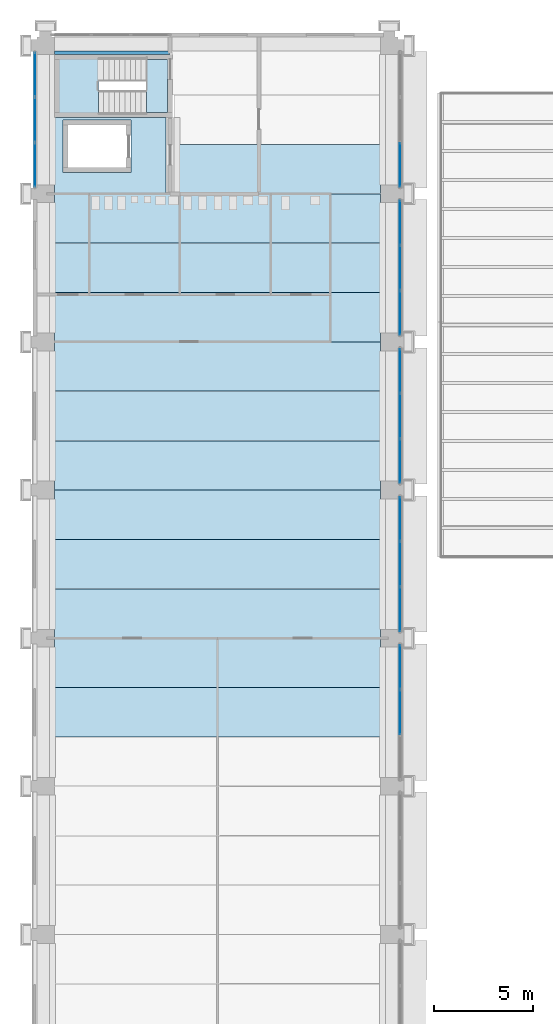
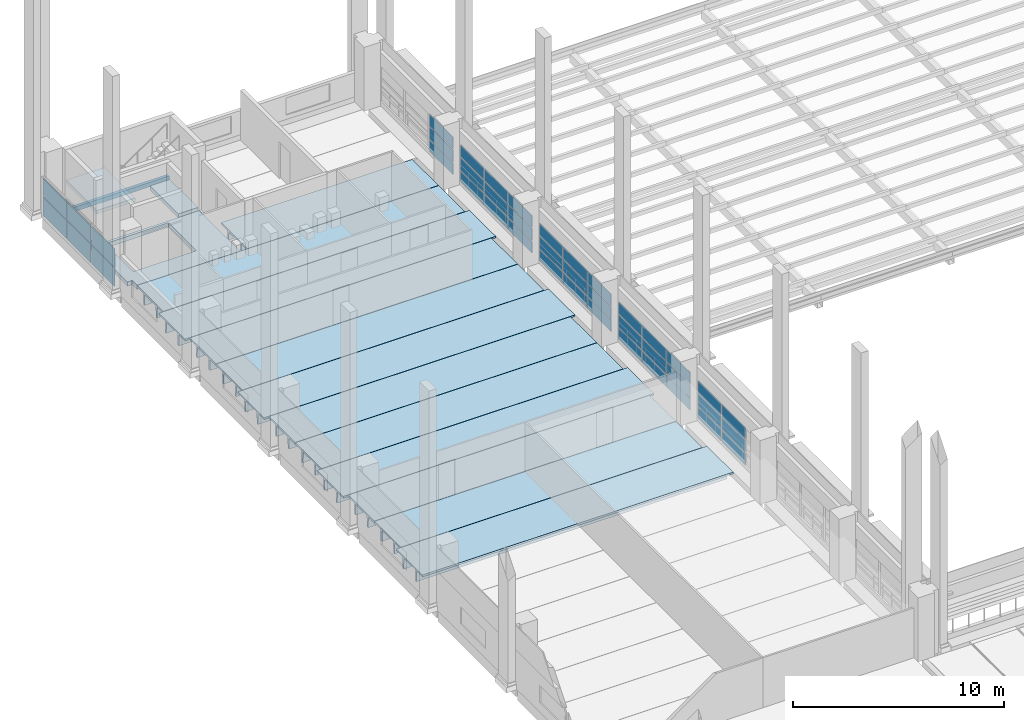
# One storey, part 30 of 67: 42 plates, 16 slabs, 7 elements without a shape of their own.
"""IFC4 building model written with IfcOpenShell, lengths in metres."""

import ifcopenshell
import ifcopenshell.guid

model = None  # the IFC model being written
_history = None  # IfcOwnerHistory: only IFC2X3 demands one
_inside = {}  # id of a spatial element -> (the spatial element, [elements in it])
_under = {}  # id of a project, library or spatial element -> (it, [spatial elements below it])
_declared = {}  # id of a project -> (the project, [libraries it declares])
_typed = {}  # id of a type object -> (the type object, [elements of that type])
_made_of = {}  # id of a material, layer set ... -> (it, [elements and type objects made of it])


def new_model(schema):
    """Start an empty IFC model of exactly this schema.

    Asked for "IFC4X3", IfcOpenShell would pick the latest addendum, in which some entities
    have other attributes; the version numbers below select the first issue.
    IFC2X3 requires an IfcOwnerHistory on every rooted entity: one is made here for all.
    """
    global model, _history
    if schema == "IFC4X3":
        model = ifcopenshell.file(schema_version=(4, 3, 0, 0))
    else:
        model = ifcopenshell.file(schema=schema)
    _inside.clear()
    _under.clear()
    _declared.clear()
    _typed.clear()
    _made_of.clear()
    _history = None
    if model.schema == "IFC2X3":
        org = make("IfcOrganization", Name="unknown")
        user = make(
            "IfcPersonAndOrganization",
            ThePerson=make("IfcPerson", FamilyName="unknown"),
            TheOrganization=org,
        )
        app = make(
            "IfcApplication",
            ApplicationDeveloper=org,
            Version="unknown",
            ApplicationFullName="unknown",
            ApplicationIdentifier="unknown",
        )
        _history = make(
            "IfcOwnerHistory",
            OwningUser=user,
            OwningApplication=app,
            ChangeAction="ADDED",
            CreationDate=0,
        )
    return model


def make(cls, **values):
    """One entity of the class cls with the attributes given. An attribute that is None is left unset."""
    return model.create_entity(
        cls, **{name: value for name, value in values.items() if value is not None}
    )


def rooted(cls, **values):
    """An entity with a GlobalId (a new one), such as an element, a storey or a relation."""
    return make(cls, GlobalId=ifcopenshell.guid.new(), OwnerHistory=_history, **values)


def si_unit(unit_type, name, prefix=None):
    """IfcSIUnit, for example si_unit("LENGTHUNIT", "METRE", prefix="MILLI")."""
    return make("IfcSIUnit", UnitType=unit_type, Prefix=prefix, Name=name)


def assignment(units):
    """IfcUnitAssignment: the units of a project."""
    return None if units is None else make("IfcUnitAssignment", Units=units)


def point(xyz):
    """IfcCartesianPoint."""
    return None if xyz is None else make("IfcCartesianPoint", Coordinates=xyz)


def direction(xyz):
    """IfcDirection."""
    return None if xyz is None else make("IfcDirection", DirectionRatios=xyz)


def frame(location, z_axis=None, x_axis=None):
    """IfcAxis2Placement3D, a coordinate frame: its origin and axes. An axis left out is left unset."""
    return make(
        "IfcAxis2Placement3D",
        Location=point(location),
        Axis=direction(z_axis),
        RefDirection=direction(x_axis),
    )


def frame_2d(location, x_axis=None):
    """IfcAxis2Placement2D, a coordinate frame in the plane: its origin and x axis."""
    return make(
        "IfcAxis2Placement2D", Location=point(location), RefDirection=direction(x_axis)
    )


def origin():
    """The frame at (0, 0, 0) with its axes left unset."""
    return frame((0.0, 0.0, 0.0))


def origin_2d():
    """The frame at (0, 0) in the plane with its x axis left unset."""
    return frame_2d((0.0, 0.0))


def place(relative_to, where):
    """IfcLocalPlacement: puts the frame where relative to a parent placement (None: the world)."""
    return make(
        "IfcLocalPlacement", PlacementRelTo=relative_to, RelativePlacement=where
    )


def context(
    kind, dimensions, precision=None, world=None, true_north=None, identifier=None
):
    """IfcGeometricRepresentationContext, for example the 3D "Model" context."""
    return make(
        "IfcGeometricRepresentationContext",
        ContextIdentifier=identifier,
        ContextType=kind,
        CoordinateSpaceDimension=dimensions,
        Precision=precision,
        WorldCoordinateSystem=world,
        TrueNorth=true_north,
    )


def subcontext(parent, identifier, kind, view, scale=None):
    """IfcGeometricRepresentationSubContext, for example "Body" below "Model"."""
    return make(
        "IfcGeometricRepresentationSubContext",
        ContextIdentifier=identifier,
        ContextType=kind,
        ParentContext=parent,
        TargetScale=scale,
        TargetView=view,
    )


def project(units=None, contexts=None):
    """IfcProject with its units and contexts."""
    return rooted(
        "IfcProject",
        Name="project",
        RepresentationContexts=contexts,
        UnitsInContext=assignment(units),
    )


def spatial(cls, under=None, at=None, **own):
    """A site, building, storey or space (cls), placed at a placement, below another one or the project."""
    s = rooted(cls, ObjectPlacement=at, **own)
    if under is not None:
        _under.setdefault(under.id(), (under, []))[1].append(s)
    return s


def polyline(points):
    """IfcPolyline through the points."""
    return make("IfcPolyline", Points=[point(p) for p in points])


def profile(cls, at=None, kind="AREA", **sizes):
    """A parametric profile (cls). Its sizes go by their IFC names, for example OverallWidth=200.0."""
    return make(cls, ProfileType=kind, Position=at, **sizes)


def rectangle(**sizes):
    """IfcRectangleProfileDef."""
    return profile("IfcRectangleProfileDef", **sizes)


def outline(outer, holes=None, kind="AREA"):
    """IfcArbitraryClosedProfileDef: a profile drawn as a closed curve; with holes, ...WithVoids."""
    if holes is None:
        return make("IfcArbitraryClosedProfileDef", ProfileType=kind, OuterCurve=outer)
    return make(
        "IfcArbitraryProfileDefWithVoids",
        ProfileType=kind,
        OuterCurve=outer,
        InnerCurves=holes,
    )


def extrude(swept, where, along, depth):
    """IfcExtrudedAreaSolid: the profile swept, set in the frame where, extruded along a direction by depth."""
    return make(
        "IfcExtrudedAreaSolid",
        SweptArea=swept,
        Position=where,
        ExtrudedDirection=direction(along),
        Depth=depth,
    )


def shape(context_of_items, identifier, shape_type, items):
    """IfcShapeRepresentation: the items that make up one representation, for example the "Body"."""
    return make(
        "IfcShapeRepresentation",
        ContextOfItems=context_of_items,
        RepresentationIdentifier=identifier,
        RepresentationType=shape_type,
        Items=items,
    )


def material(Name=None, Category=None):
    """IfcMaterial."""
    return make("IfcMaterial", Name=Name, Category=Category)


def layer(
    of_material, thickness, ventilated=None, Name=None, Category=None, Priority=None
):
    """IfcMaterialLayer: one layer of a wall or slab, of a material (None: an air gap)."""
    return make(
        "IfcMaterialLayer",
        Material=of_material,
        LayerThickness=thickness,
        IsVentilated=ventilated,
        Name=Name,
        Category=Category,
        Priority=Priority,
    )


def layer_set(layers, Name=None):
    """IfcMaterialLayerSet."""
    return make("IfcMaterialLayerSet", MaterialLayers=layers, LayerSetName=Name)


def material_profile(
    of_material, cross_section, Name=None, Category=None, Priority=None
):
    """IfcMaterialProfile: a cross section and its material."""
    return make(
        "IfcMaterialProfile",
        Name=Name,
        Material=of_material,
        Profile=cross_section,
        Priority=Priority,
        Category=Category,
    )


def profile_set(profiles, Name=None, composite=None):
    """IfcMaterialProfileSet."""
    return make(
        "IfcMaterialProfileSet",
        Name=Name,
        MaterialProfiles=profiles,
        CompositeProfile=composite,
    )


def made_of(thing, what):
    """Note that an element or type object is made of a material, layer set ...; save() writes the relation."""
    if what is not None:
        _made_of.setdefault(what.id(), (what, []))[1].append(thing)
    return thing


def type_object(cls, material=None, **own):
    """A type object (cls), such as IfcWallType, which elements share."""
    return made_of(rooted(cls, **own), material)


def element(
    cls,
    number,
    at=None,
    inside=None,
    cuts=None,
    type_object=None,
    material=None,
    context=None,
    identifier="Body",
    shape_type=None,
    held_by="IfcProductDefinitionShape",
    body=None,
    shapes=None,
    **own,
):
    """One element of the class cls, such as IfcWall. Its Tag is "e" and its number.

    at: its placement. inside: the storey or other place that contains it. cuts: it is an
    opening in that element (IfcRelVoidsElement). A single representation is given by context,
    identifier, shape_type and body (its items); several are given by shapes. held_by: the class
    of the entity that holds the representations. save() writes the other relations.
    """
    e = rooted(cls, Tag="e%d" % number, ObjectPlacement=at, **own)
    if body is not None:
        shapes = [shape(context, identifier, shape_type, body)]
    if shapes is not None:
        e.Representation = make(held_by, Representations=shapes)
    if inside is not None:
        _inside.setdefault(inside.id(), (inside, []))[1].append(e)
    if cuts is not None:
        rooted(
            "IfcRelVoidsElement", RelatingBuildingElement=cuts, RelatedOpeningElement=e
        )
    if type_object is not None:
        _typed.setdefault(type_object.id(), (type_object, []))[1].append(e)
    return made_of(e, material)


def aggregate(whole, parts):
    """IfcRelAggregates: a whole, such as a stair, and the parts it consists of."""
    return rooted("IfcRelAggregates", RelatingObject=whole, RelatedObjects=parts)


def save(model, path):
    """Write the relations noted so far, then the file.

    IfcRelAggregates (storeys below a building ...), IfcRelContainedInSpatialStructure (elements
    in a storey), IfcRelDefinesByType, IfcRelAssociatesMaterial and IfcRelDeclares: one each for
    every whole, place, type object, material and project.
    """
    for whole, parts in _under.values():
        aggregate(whole, parts)
    for where, things in _inside.values():
        rooted(
            "IfcRelContainedInSpatialStructure",
            RelatedElements=things,
            RelatingStructure=where,
        )
    for kind, things in _typed.values():
        rooted("IfcRelDefinesByType", RelatedObjects=things, RelatingType=kind)
    for what, things in _made_of.values():
        rooted("IfcRelAssociatesMaterial", RelatedObjects=things, RelatingMaterial=what)
    for by, libraries in _declared.values():
        rooted("IfcRelDeclares", RelatingContext=by, RelatedDefinitions=libraries)
    model.write(path)


model = new_model("IFC4")

# Units and contexts
model_context = context("Model", 3, precision=1e-05, world=origin(), true_north=direction((0.0, 1.0)))
body_context = subcontext(model_context, "Body", "Model", "MODEL_VIEW")
ifc_project = project(units=[si_unit("LENGTHUNIT", "METRE"), si_unit("AREAUNIT", "SQUARE_METRE"), si_unit("VOLUMEUNIT", "CUBIC_METRE"), si_unit("PLANEANGLEUNIT", "RADIAN"), si_unit("MASSUNIT", "GRAM", prefix="KILO")], contexts=[model_context])

# Site, building, storey
site_placement = place(None, origin())
site = spatial("IfcSite", under=ifc_project, at=site_placement, CompositionType="ELEMENT")
building_placement = place(site_placement, origin())
building = spatial("IfcBuilding", under=site, at=building_placement, Name="Cour d'Honneur Mobility Palace", CompositionType="ELEMENT")
storey_placement = place(building_placement, frame((0.0, 0.0, 4.5)))
storey = spatial("IfcBuildingStorey", under=building, at=storey_placement, Name="L01", CompositionType="ELEMENT", Elevation=4.5)

# Slabs
ifc_material_1 = material(Name="Concrete C50", Category="concrete")
ifc_layer_1 = layer(ifc_material_1, 0.25)
ifc_layer_set_1 = layer_set([ifc_layer_1], Name="Concrete C50")
slab_type_1 = type_object("IfcSlabType", Name="Cast-in-place Slab 250", PredefinedType="FLOOR", material=ifc_layer_set_1)
slab_1_placement = place(storey_placement, frame((0.0, 0.0, -0.25)))
element("IfcSlab", 1, at=slab_1_placement, inside=storey, type_object=slab_type_1, Name="Cast-in-place slab S1 L01 core", PredefinedType="FLOOR", context=body_context, shape_type="SweptSolid", body=[
    extrude(outline(polyline([(0.449951171875, 114.625), (6.300048828125, 114.625), (6.300048828125, 114.449951171875), (0.449951171875, 114.449951171875), (0.449951171875, 114.625)])), origin(), (0.0, 0.0, 1.0), 0.25),
])
slab_2_placement = place(storey_placement, frame((0.0, 0.0, -0.25)))
element("IfcSlab", 2, at=slab_2_placement, inside=storey, type_object=slab_type_1, Name="Cast-in-place slab S1 L01 core", PredefinedType="FLOOR", context=body_context, shape_type="SweptSolid", body=[
    extrude(outline(polyline([(0.199951171875, 107.85009765625), (0.199951171875, 114.449951171875), (0.449951171875, 114.449951171875), (0.449951171875, 111.27490234375), (6.10009765625, 111.27490234375), (6.10009765625, 107.39990234375), (0.449951171875, 107.39990234375), (0.449951171875, 107.85009765625), (0.199951171875, 107.85009765625)]), holes=[polyline([(0.875, 111.125), (0.875, 108.47509765625), (4.324951171875, 108.47509765625), (4.324951171875, 111.125), (0.875, 111.125)])]), origin(), (0.0, 0.0, 1.0), 0.25),
])
slab_3_placement = place(storey_placement, frame((0.0, 0.0, -0.25)))
element("IfcSlab", 3, at=slab_3_placement, inside=storey, type_object=slab_type_1, Name="Cast-in-place slab S1 L01 core", PredefinedType="FLOOR", context=body_context, shape_type="SweptSolid", body=[
    extrude(outline(polyline([(6.175048828125, 111.52490234375), (5.10009765625, 111.52490234375), (5.10009765625, 114.199951171875), (6.175048828125, 114.199951171875), (6.175048828125, 111.52490234375)])), origin(), (0.0, 0.0, 1.0), 0.25),
])

# Curtain wall, plates
ifc_material_2 = material(Name="Aluminium and glass", Category="aluminium")
ifc_layer_2 = layer(ifc_material_2, 0.10009765625)
ifc_layer_set_2 = layer_set([ifc_layer_2], Name="Aluminium and glass")
curtain_wall_type = type_object("IfcCurtainWallType", Name="Curtain wall run", PredefinedType="NOTDEFINED", material=ifc_layer_set_2)
curtain_wall_1_placement = place(storey_placement, origin())
curtain_wall_1 = element("IfcCurtainWall", 4, at=curtain_wall_1_placement, inside=storey, type_object=curtain_wall_type, Name="Curtain wall CW-18", PredefinedType="NOTDEFINED")
ifc_material_3 = material(Name="Double glazing", Category="glass")
ifc_layer_3 = layer(ifc_material_3, 0.028076171875)
ifc_layer_set_3 = layer_set([ifc_layer_3], Name="Double glazing")
plate_type = type_object("IfcPlateType", Name="Curtain wall panel", PredefinedType="CURTAIN_PANEL", material=ifc_layer_set_3)
plate_1_placement = place(storey_placement, frame((17.949951171875, 81.14990234375, 0.06005859375), z_axis=(0.0, 0.0, 1.0), x_axis=(0.0, 1.0, 0.0)))
plate_1 = element("IfcPlate", 5, at=plate_1_placement, type_object=plate_type, Name="CW-18 panel 2.1", PredefinedType="CURTAIN_PANEL", context=body_context, shape_type="SweptSolid", body=[
    extrude(rectangle(XDim=2.239990234375, YDim=0.028076171875, at=origin_2d()), origin(), (0.0, 0.0, 1.0), 0.6767578125),
])
plate_2_placement = place(storey_placement, frame((17.949951171875, 81.14990234375, 0.79638671875), z_axis=(0.0, 0.0, 1.0), x_axis=(0.0, 1.0, 0.0)))
plate_2 = element("IfcPlate", 6, at=plate_2_placement, type_object=plate_type, Name="CW-18 panel 2.2", PredefinedType="CURTAIN_PANEL", context=body_context, shape_type="SweptSolid", body=[
    extrude(rectangle(XDim=2.239990234375, YDim=0.028076171875, at=origin_2d()), origin(), (0.0, 0.0, 1.0), 0.706787109375),
])
plate_3_placement = place(storey_placement, frame((17.949951171875, 81.14990234375, 1.563232421875), z_axis=(0.0, 0.0, 1.0), x_axis=(0.0, 1.0, 0.0)))
plate_3 = element("IfcPlate", 7, at=plate_3_placement, type_object=plate_type, Name="CW-18 panel 2.3", PredefinedType="CURTAIN_PANEL", context=body_context, shape_type="SweptSolid", body=[
    extrude(rectangle(XDim=2.239990234375, YDim=0.028076171875, at=origin_2d()), origin(), (0.0, 0.0, 1.0), 0.6767578125),
])
plate_4_placement = place(storey_placement, frame((17.949951171875, 83.43505859375, 0.06005859375), z_axis=(0.0, 0.0, 1.0), x_axis=(0.0, 1.0, 0.0)))
plate_4 = element("IfcPlate", 8, at=plate_4_placement, type_object=plate_type, Name="CW-18 panel 3.1", PredefinedType="CURTAIN_PANEL", context=body_context, shape_type="SweptSolid", body=[
    extrude(rectangle(XDim=2.2099609375, YDim=0.028076171875, at=origin_2d()), origin(), (0.0, 0.0, 1.0), 0.6767578125),
])
plate_5_placement = place(storey_placement, frame((17.949951171875, 83.43505859375, 0.79638671875), z_axis=(0.0, 0.0, 1.0), x_axis=(0.0, 1.0, 0.0)))
plate_5 = element("IfcPlate", 9, at=plate_5_placement, type_object=plate_type, Name="CW-18 panel 3.2", PredefinedType="CURTAIN_PANEL", context=body_context, shape_type="SweptSolid", body=[
    extrude(rectangle(XDim=2.2099609375, YDim=0.028076171875, at=origin_2d()), origin(), (0.0, 0.0, 1.0), 0.706787109375),
])
plate_6_placement = place(storey_placement, frame((17.949951171875, 83.43505859375, 1.563232421875), z_axis=(0.0, 0.0, 1.0), x_axis=(0.0, 1.0, 0.0)))
plate_6 = element("IfcPlate", 10, at=plate_6_placement, type_object=plate_type, Name="CW-18 panel 3.3", PredefinedType="CURTAIN_PANEL", context=body_context, shape_type="SweptSolid", body=[
    extrude(rectangle(XDim=2.2099609375, YDim=0.028076171875, at=origin_2d()), origin(), (0.0, 0.0, 1.0), 0.6767578125),
])
aggregate(curtain_wall_1, [plate_1, plate_2, plate_3, plate_4, plate_5, plate_6])

curtain_wall_2_placement = place(storey_placement, origin())
curtain_wall_2 = element("IfcCurtainWall", 11, at=curtain_wall_2_placement, inside=storey, type_object=curtain_wall_type, Name="Curtain wall CW-19", PredefinedType="NOTDEFINED")
plate_7_placement = place(storey_placement, frame((17.949951171875, 86.364990234375, 0.06005859375), z_axis=(0.0, 0.0, 1.0), x_axis=(0.0, 1.0, 0.0)))
plate_7 = element("IfcPlate", 12, at=plate_7_placement, type_object=plate_type, Name="CW-19 panel 1.1", PredefinedType="CURTAIN_PANEL", context=body_context, shape_type="SweptSolid", body=[
    extrude(rectangle(XDim=2.2099609375, YDim=0.028076171875, at=origin_2d()), origin(), (0.0, 0.0, 1.0), 0.6767578125),
])
plate_8_placement = place(storey_placement, frame((17.949951171875, 86.364990234375, 0.79638671875), z_axis=(0.0, 0.0, 1.0), x_axis=(0.0, 1.0, 0.0)))
plate_8 = element("IfcPlate", 13, at=plate_8_placement, type_object=plate_type, Name="CW-19 panel 1.2", PredefinedType="CURTAIN_PANEL", context=body_context, shape_type="SweptSolid", body=[
    extrude(rectangle(XDim=2.2099609375, YDim=0.028076171875, at=origin_2d()), origin(), (0.0, 0.0, 1.0), 0.706787109375),
])
plate_9_placement = place(storey_placement, frame((17.949951171875, 86.364990234375, 1.563232421875), z_axis=(0.0, 0.0, 1.0), x_axis=(0.0, 1.0, 0.0)))
plate_9 = element("IfcPlate", 14, at=plate_9_placement, type_object=plate_type, Name="CW-19 panel 1.3", PredefinedType="CURTAIN_PANEL", context=body_context, shape_type="SweptSolid", body=[
    extrude(rectangle(XDim=2.2099609375, YDim=0.028076171875, at=origin_2d()), origin(), (0.0, 0.0, 1.0), 0.6767578125),
])
plate_10_placement = place(storey_placement, frame((17.949951171875, 88.64990234375, 0.06005859375), z_axis=(0.0, 0.0, 1.0), x_axis=(0.0, 1.0, 0.0)))
plate_10 = element("IfcPlate", 15, at=plate_10_placement, type_object=plate_type, Name="CW-19 panel 2.1", PredefinedType="CURTAIN_PANEL", context=body_context, shape_type="SweptSolid", body=[
    extrude(rectangle(XDim=2.239990234375, YDim=0.028076171875, at=origin_2d()), origin(), (0.0, 0.0, 1.0), 0.6767578125),
])
plate_11_placement = place(storey_placement, frame((17.949951171875, 88.64990234375, 0.79638671875), z_axis=(0.0, 0.0, 1.0), x_axis=(0.0, 1.0, 0.0)))
plate_11 = element("IfcPlate", 16, at=plate_11_placement, type_object=plate_type, Name="CW-19 panel 2.2", PredefinedType="CURTAIN_PANEL", context=body_context, shape_type="SweptSolid", body=[
    extrude(rectangle(XDim=2.239990234375, YDim=0.028076171875, at=origin_2d()), origin(), (0.0, 0.0, 1.0), 0.706787109375),
])
plate_12_placement = place(storey_placement, frame((17.949951171875, 88.64990234375, 1.563232421875), z_axis=(0.0, 0.0, 1.0), x_axis=(0.0, 1.0, 0.0)))
plate_12 = element("IfcPlate", 17, at=plate_12_placement, type_object=plate_type, Name="CW-19 panel 2.3", PredefinedType="CURTAIN_PANEL", context=body_context, shape_type="SweptSolid", body=[
    extrude(rectangle(XDim=2.239990234375, YDim=0.028076171875, at=origin_2d()), origin(), (0.0, 0.0, 1.0), 0.6767578125),
])
plate_13_placement = place(storey_placement, frame((17.949951171875, 90.93505859375, 0.06005859375), z_axis=(0.0, 0.0, 1.0), x_axis=(0.0, 1.0, 0.0)))
plate_13 = element("IfcPlate", 18, at=plate_13_placement, type_object=plate_type, Name="CW-19 panel 3.1", PredefinedType="CURTAIN_PANEL", context=body_context, shape_type="SweptSolid", body=[
    extrude(rectangle(XDim=2.2099609375, YDim=0.028076171875, at=origin_2d()), origin(), (0.0, 0.0, 1.0), 0.6767578125),
])
plate_14_placement = place(storey_placement, frame((17.949951171875, 90.93505859375, 0.79638671875), z_axis=(0.0, 0.0, 1.0), x_axis=(0.0, 1.0, 0.0)))
plate_14 = element("IfcPlate", 19, at=plate_14_placement, type_object=plate_type, Name="CW-19 panel 3.2", PredefinedType="CURTAIN_PANEL", context=body_context, shape_type="SweptSolid", body=[
    extrude(rectangle(XDim=2.2099609375, YDim=0.028076171875, at=origin_2d()), origin(), (0.0, 0.0, 1.0), 0.706787109375),
])
plate_15_placement = place(storey_placement, frame((17.949951171875, 90.93505859375, 1.563232421875), z_axis=(0.0, 0.0, 1.0), x_axis=(0.0, 1.0, 0.0)))
plate_15 = element("IfcPlate", 20, at=plate_15_placement, type_object=plate_type, Name="CW-19 panel 3.3", PredefinedType="CURTAIN_PANEL", context=body_context, shape_type="SweptSolid", body=[
    extrude(rectangle(XDim=2.2099609375, YDim=0.028076171875, at=origin_2d()), origin(), (0.0, 0.0, 1.0), 0.6767578125),
])
aggregate(curtain_wall_2, [plate_7, plate_8, plate_9, plate_10, plate_11, plate_12, plate_13, plate_14, plate_15])

curtain_wall_3_placement = place(storey_placement, origin())
curtain_wall_3 = element("IfcCurtainWall", 21, at=curtain_wall_3_placement, inside=storey, type_object=curtain_wall_type, Name="Curtain wall CW-20", PredefinedType="NOTDEFINED")
plate_16_placement = place(storey_placement, frame((17.949951171875, 93.864990234375, 0.06005859375), z_axis=(0.0, 0.0, 1.0), x_axis=(0.0, 1.0, 0.0)))
plate_16 = element("IfcPlate", 22, at=plate_16_placement, type_object=plate_type, Name="CW-20 panel 1.1", PredefinedType="CURTAIN_PANEL", context=body_context, shape_type="SweptSolid", body=[
    extrude(rectangle(XDim=2.2099609375, YDim=0.028076171875, at=origin_2d()), origin(), (0.0, 0.0, 1.0), 0.6767578125),
])
plate_17_placement = place(storey_placement, frame((17.949951171875, 93.864990234375, 0.79638671875), z_axis=(0.0, 0.0, 1.0), x_axis=(0.0, 1.0, 0.0)))
plate_17 = element("IfcPlate", 23, at=plate_17_placement, type_object=plate_type, Name="CW-20 panel 1.2", PredefinedType="CURTAIN_PANEL", context=body_context, shape_type="SweptSolid", body=[
    extrude(rectangle(XDim=2.2099609375, YDim=0.028076171875, at=origin_2d()), origin(), (0.0, 0.0, 1.0), 0.706787109375),
])
plate_18_placement = place(storey_placement, frame((17.949951171875, 93.864990234375, 1.563232421875), z_axis=(0.0, 0.0, 1.0), x_axis=(0.0, 1.0, 0.0)))
plate_18 = element("IfcPlate", 24, at=plate_18_placement, type_object=plate_type, Name="CW-20 panel 1.3", PredefinedType="CURTAIN_PANEL", context=body_context, shape_type="SweptSolid", body=[
    extrude(rectangle(XDim=2.2099609375, YDim=0.028076171875, at=origin_2d()), origin(), (0.0, 0.0, 1.0), 0.6767578125),
])
plate_19_placement = place(storey_placement, frame((17.949951171875, 96.14990234375, 0.06005859375), z_axis=(0.0, 0.0, 1.0), x_axis=(0.0, 1.0, 0.0)))
plate_19 = element("IfcPlate", 25, at=plate_19_placement, type_object=plate_type, Name="CW-20 panel 2.1", PredefinedType="CURTAIN_PANEL", context=body_context, shape_type="SweptSolid", body=[
    extrude(rectangle(XDim=2.239990234375, YDim=0.028076171875, at=origin_2d()), origin(), (0.0, 0.0, 1.0), 0.6767578125),
])
plate_20_placement = place(storey_placement, frame((17.949951171875, 96.14990234375, 0.79638671875), z_axis=(0.0, 0.0, 1.0), x_axis=(0.0, 1.0, 0.0)))
plate_20 = element("IfcPlate", 26, at=plate_20_placement, type_object=plate_type, Name="CW-20 panel 2.2", PredefinedType="CURTAIN_PANEL", context=body_context, shape_type="SweptSolid", body=[
    extrude(rectangle(XDim=2.239990234375, YDim=0.028076171875, at=origin_2d()), origin(), (0.0, 0.0, 1.0), 0.706787109375),
])
plate_21_placement = place(storey_placement, frame((17.949951171875, 96.14990234375, 1.563232421875), z_axis=(0.0, 0.0, 1.0), x_axis=(0.0, 1.0, 0.0)))
plate_21 = element("IfcPlate", 27, at=plate_21_placement, type_object=plate_type, Name="CW-20 panel 2.3", PredefinedType="CURTAIN_PANEL", context=body_context, shape_type="SweptSolid", body=[
    extrude(rectangle(XDim=2.239990234375, YDim=0.028076171875, at=origin_2d()), origin(), (0.0, 0.0, 1.0), 0.6767578125),
])
plate_22_placement = place(storey_placement, frame((17.949951171875, 98.43505859375, 0.06005859375), z_axis=(0.0, 0.0, 1.0), x_axis=(0.0, 1.0, 0.0)))
plate_22 = element("IfcPlate", 28, at=plate_22_placement, type_object=plate_type, Name="CW-20 panel 3.1", PredefinedType="CURTAIN_PANEL", context=body_context, shape_type="SweptSolid", body=[
    extrude(rectangle(XDim=2.2099609375, YDim=0.028076171875, at=origin_2d()), origin(), (0.0, 0.0, 1.0), 0.6767578125),
])
plate_23_placement = place(storey_placement, frame((17.949951171875, 98.43505859375, 0.79638671875), z_axis=(0.0, 0.0, 1.0), x_axis=(0.0, 1.0, 0.0)))
plate_23 = element("IfcPlate", 29, at=plate_23_placement, type_object=plate_type, Name="CW-20 panel 3.2", PredefinedType="CURTAIN_PANEL", context=body_context, shape_type="SweptSolid", body=[
    extrude(rectangle(XDim=2.2099609375, YDim=0.028076171875, at=origin_2d()), origin(), (0.0, 0.0, 1.0), 0.706787109375),
])
plate_24_placement = place(storey_placement, frame((17.949951171875, 98.43505859375, 1.563232421875), z_axis=(0.0, 0.0, 1.0), x_axis=(0.0, 1.0, 0.0)))
plate_24 = element("IfcPlate", 30, at=plate_24_placement, type_object=plate_type, Name="CW-20 panel 3.3", PredefinedType="CURTAIN_PANEL", context=body_context, shape_type="SweptSolid", body=[
    extrude(rectangle(XDim=2.2099609375, YDim=0.028076171875, at=origin_2d()), origin(), (0.0, 0.0, 1.0), 0.6767578125),
])
aggregate(curtain_wall_3, [plate_16, plate_17, plate_18, plate_19, plate_20, plate_21, plate_22, plate_23, plate_24])

curtain_wall_4_placement = place(storey_placement, origin())
curtain_wall_4 = element("IfcCurtainWall", 31, at=curtain_wall_4_placement, inside=storey, type_object=curtain_wall_type, Name="Curtain wall CW-21", PredefinedType="NOTDEFINED")
plate_25_placement = place(storey_placement, frame((17.949951171875, 101.364990234375, 0.06005859375), z_axis=(0.0, 0.0, 1.0), x_axis=(0.0, 1.0, 0.0)))
plate_25 = element("IfcPlate", 32, at=plate_25_placement, type_object=plate_type, Name="CW-21 panel 1.1", PredefinedType="CURTAIN_PANEL", context=body_context, shape_type="SweptSolid", body=[
    extrude(rectangle(XDim=2.2099609375, YDim=0.028076171875, at=origin_2d()), origin(), (0.0, 0.0, 1.0), 0.6767578125),
])
plate_26_placement = place(storey_placement, frame((17.949951171875, 101.364990234375, 0.79638671875), z_axis=(0.0, 0.0, 1.0), x_axis=(0.0, 1.0, 0.0)))
plate_26 = element("IfcPlate", 33, at=plate_26_placement, type_object=plate_type, Name="CW-21 panel 1.2", PredefinedType="CURTAIN_PANEL", context=body_context, shape_type="SweptSolid", body=[
    extrude(rectangle(XDim=2.2099609375, YDim=0.028076171875, at=origin_2d()), origin(), (0.0, 0.0, 1.0), 0.706787109375),
])
plate_27_placement = place(storey_placement, frame((17.949951171875, 101.364990234375, 1.563232421875), z_axis=(0.0, 0.0, 1.0), x_axis=(0.0, 1.0, 0.0)))
plate_27 = element("IfcPlate", 34, at=plate_27_placement, type_object=plate_type, Name="CW-21 panel 1.3", PredefinedType="CURTAIN_PANEL", context=body_context, shape_type="SweptSolid", body=[
    extrude(rectangle(XDim=2.2099609375, YDim=0.028076171875, at=origin_2d()), origin(), (0.0, 0.0, 1.0), 0.6767578125),
])
plate_28_placement = place(storey_placement, frame((17.949951171875, 103.64990234375, 0.06005859375), z_axis=(0.0, 0.0, 1.0), x_axis=(0.0, 1.0, 0.0)))
plate_28 = element("IfcPlate", 35, at=plate_28_placement, type_object=plate_type, Name="CW-21 panel 2.1", PredefinedType="CURTAIN_PANEL", context=body_context, shape_type="SweptSolid", body=[
    extrude(rectangle(XDim=2.239990234375, YDim=0.028076171875, at=origin_2d()), origin(), (0.0, 0.0, 1.0), 0.6767578125),
])
plate_29_placement = place(storey_placement, frame((17.949951171875, 103.64990234375, 0.79638671875), z_axis=(0.0, 0.0, 1.0), x_axis=(0.0, 1.0, 0.0)))
plate_29 = element("IfcPlate", 36, at=plate_29_placement, type_object=plate_type, Name="CW-21 panel 2.2", PredefinedType="CURTAIN_PANEL", context=body_context, shape_type="SweptSolid", body=[
    extrude(rectangle(XDim=2.239990234375, YDim=0.028076171875, at=origin_2d()), origin(), (0.0, 0.0, 1.0), 0.706787109375),
])
plate_30_placement = place(storey_placement, frame((17.949951171875, 103.64990234375, 1.563232421875), z_axis=(0.0, 0.0, 1.0), x_axis=(0.0, 1.0, 0.0)))
plate_30 = element("IfcPlate", 37, at=plate_30_placement, type_object=plate_type, Name="CW-21 panel 2.3", PredefinedType="CURTAIN_PANEL", context=body_context, shape_type="SweptSolid", body=[
    extrude(rectangle(XDim=2.239990234375, YDim=0.028076171875, at=origin_2d()), origin(), (0.0, 0.0, 1.0), 0.6767578125),
])
plate_31_placement = place(storey_placement, frame((17.949951171875, 105.93505859375, 0.06005859375), z_axis=(0.0, 0.0, 1.0), x_axis=(0.0, 1.0, 0.0)))
plate_31 = element("IfcPlate", 38, at=plate_31_placement, type_object=plate_type, Name="CW-21 panel 3.1", PredefinedType="CURTAIN_PANEL", context=body_context, shape_type="SweptSolid", body=[
    extrude(rectangle(XDim=2.2099609375, YDim=0.028076171875, at=origin_2d()), origin(), (0.0, 0.0, 1.0), 0.6767578125),
])
plate_32_placement = place(storey_placement, frame((17.949951171875, 105.93505859375, 0.79638671875), z_axis=(0.0, 0.0, 1.0), x_axis=(0.0, 1.0, 0.0)))
plate_32 = element("IfcPlate", 39, at=plate_32_placement, type_object=plate_type, Name="CW-21 panel 3.2", PredefinedType="CURTAIN_PANEL", context=body_context, shape_type="SweptSolid", body=[
    extrude(rectangle(XDim=2.2099609375, YDim=0.028076171875, at=origin_2d()), origin(), (0.0, 0.0, 1.0), 0.706787109375),
])
plate_33_placement = place(storey_placement, frame((17.949951171875, 105.93505859375, 1.563232421875), z_axis=(0.0, 0.0, 1.0), x_axis=(0.0, 1.0, 0.0)))
plate_33 = element("IfcPlate", 40, at=plate_33_placement, type_object=plate_type, Name="CW-21 panel 3.3", PredefinedType="CURTAIN_PANEL", context=body_context, shape_type="SweptSolid", body=[
    extrude(rectangle(XDim=2.2099609375, YDim=0.028076171875, at=origin_2d()), origin(), (0.0, 0.0, 1.0), 0.6767578125),
])
aggregate(curtain_wall_4, [plate_25, plate_26, plate_27, plate_28, plate_29, plate_30, plate_31, plate_32, plate_33])

curtain_wall_5_placement = place(storey_placement, origin())
curtain_wall_5 = element("IfcCurtainWall", 41, at=curtain_wall_5_placement, inside=storey, type_object=curtain_wall_type, Name="Curtain wall CW-22", PredefinedType="NOTDEFINED")
plate_34_placement = place(storey_placement, frame((17.949951171875, 108.864990234375, 0.06005859375), z_axis=(0.0, 0.0, 1.0), x_axis=(0.0, 1.0, 0.0)))
plate_34 = element("IfcPlate", 42, at=plate_34_placement, type_object=plate_type, Name="CW-22 panel 1.1", PredefinedType="CURTAIN_PANEL", context=body_context, shape_type="SweptSolid", body=[
    extrude(rectangle(XDim=2.2099609375, YDim=0.028076171875, at=origin_2d()), origin(), (0.0, 0.0, 1.0), 0.6767578125),
])
plate_35_placement = place(storey_placement, frame((17.949951171875, 108.864990234375, 0.79638671875), z_axis=(0.0, 0.0, 1.0), x_axis=(0.0, 1.0, 0.0)))
plate_35 = element("IfcPlate", 43, at=plate_35_placement, type_object=plate_type, Name="CW-22 panel 1.2", PredefinedType="CURTAIN_PANEL", context=body_context, shape_type="SweptSolid", body=[
    extrude(rectangle(XDim=2.2099609375, YDim=0.028076171875, at=origin_2d()), origin(), (0.0, 0.0, 1.0), 0.706787109375),
])
plate_36_placement = place(storey_placement, frame((17.949951171875, 108.864990234375, 1.563232421875), z_axis=(0.0, 0.0, 1.0), x_axis=(0.0, 1.0, 0.0)))
plate_36 = element("IfcPlate", 44, at=plate_36_placement, type_object=plate_type, Name="CW-22 panel 1.3", PredefinedType="CURTAIN_PANEL", context=body_context, shape_type="SweptSolid", body=[
    extrude(rectangle(XDim=2.2099609375, YDim=0.028076171875, at=origin_2d()), origin(), (0.0, 0.0, 1.0), 0.6767578125),
])
aggregate(curtain_wall_5, [plate_34, plate_35, plate_36])

curtain_wall_6_placement = place(storey_placement, origin())
curtain_wall_6 = element("IfcCurtainWall", 45, at=curtain_wall_6_placement, inside=storey, type_object=curtain_wall_type, Name="Curtain wall CW-125", PredefinedType="NOTDEFINED")
plate_37_placement = place(storey_placement, frame((-0.550048828125, 113.43505859375, 0.06005859375), z_axis=(0.0, 0.0, 1.0), x_axis=(0.0, -1.0, 0.0)))
plate_37 = element("IfcPlate", 46, at=plate_37_placement, type_object=plate_type, Name="CW-125 panel 1.1", PredefinedType="CURTAIN_PANEL", context=body_context, shape_type="SweptSolid", body=[
    extrude(rectangle(XDim=2.2099609375, YDim=0.028076171875, at=origin_2d()), origin(), (0.0, 0.0, 1.0), 1.06005859375),
])
plate_38_placement = place(storey_placement, frame((-0.550048828125, 113.43505859375, 1.179931640625), z_axis=(0.0, 0.0, 1.0), x_axis=(0.0, -1.0, 0.0)))
plate_38 = element("IfcPlate", 47, at=plate_38_placement, type_object=plate_type, Name="CW-125 panel 1.2", PredefinedType="CURTAIN_PANEL", context=body_context, shape_type="SweptSolid", body=[
    extrude(rectangle(XDim=2.2099609375, YDim=0.028076171875, at=origin_2d()), origin(), (0.0, 0.0, 1.0), 1.06005859375),
])
plate_39_placement = place(storey_placement, frame((-0.550048828125, 111.14990234375, 0.06005859375), z_axis=(0.0, 0.0, 1.0), x_axis=(0.0, -1.0, 0.0)))
plate_39 = element("IfcPlate", 48, at=plate_39_placement, type_object=plate_type, Name="CW-125 panel 2.1", PredefinedType="CURTAIN_PANEL", context=body_context, shape_type="SweptSolid", body=[
    extrude(rectangle(XDim=2.239990234375, YDim=0.028076171875, at=origin_2d()), origin(), (0.0, 0.0, 1.0), 1.06005859375),
])
plate_40_placement = place(storey_placement, frame((-0.550048828125, 111.14990234375, 1.179931640625), z_axis=(0.0, 0.0, 1.0), x_axis=(0.0, -1.0, 0.0)))
plate_40 = element("IfcPlate", 49, at=plate_40_placement, type_object=plate_type, Name="CW-125 panel 2.2", PredefinedType="CURTAIN_PANEL", context=body_context, shape_type="SweptSolid", body=[
    extrude(rectangle(XDim=2.239990234375, YDim=0.028076171875, at=origin_2d()), origin(), (0.0, 0.0, 1.0), 1.06005859375),
])
plate_41_placement = place(storey_placement, frame((-0.550048828125, 108.864990234375, 0.06005859375), z_axis=(0.0, 0.0, 1.0), x_axis=(0.0, -1.0, 0.0)))
plate_41 = element("IfcPlate", 50, at=plate_41_placement, type_object=plate_type, Name="CW-125 panel 3.1", PredefinedType="CURTAIN_PANEL", context=body_context, shape_type="SweptSolid", body=[
    extrude(rectangle(XDim=2.2099609375, YDim=0.028076171875, at=origin_2d()), origin(), (0.0, 0.0, 1.0), 1.06005859375),
])
plate_42_placement = place(storey_placement, frame((-0.550048828125, 108.864990234375, 1.179931640625), z_axis=(0.0, 0.0, 1.0), x_axis=(0.0, -1.0, 0.0)))
plate_42 = element("IfcPlate", 51, at=plate_42_placement, type_object=plate_type, Name="CW-125 panel 3.2", PredefinedType="CURTAIN_PANEL", context=body_context, shape_type="SweptSolid", body=[
    extrude(rectangle(XDim=2.2099609375, YDim=0.028076171875, at=origin_2d()), origin(), (0.0, 0.0, 1.0), 1.06005859375),
])
aggregate(curtain_wall_6, [plate_37, plate_38, plate_39, plate_40, plate_41, plate_42])

# Slabs
ifc_material_4 = material(Name="Concrete C45", Category="concrete")
ifc_material_profile_1 = material_profile(ifc_material_4, outline(polyline([(-1.2451171875, 0.0), (1.2451171875, 0.0), (1.2451171875, -0.10009765625), (0.679931640625, -0.10009765625), (0.64990234375, -0.60009765625), (0.550048828125, -0.60009765625), (0.52001953125, -0.10009765625), (-0.52001953125, -0.10009765625), (-0.550048828125, -0.60009765625), (-0.64990234375, -0.60009765625), (-0.679931640625, -0.10009765625), (-1.2451171875, -0.10009765625), (-1.2451171875, 0.0)])), Name="DT 2490x600")
ifc_profile_set_1 = profile_set([ifc_material_profile_1], Name="Concrete C45")
slab_type_2 = type_object("IfcSlabType", Name="DT 2490x600", PredefinedType="FLOOR", material=ifc_profile_set_1)
slab_4_placement = place(storey_placement, frame((6.5, 108.64990234375, 0.0), z_axis=(1.0, 0.0, 0.0), x_axis=(0.0, 1.0, 0.0)))
element("IfcSlab", 52, at=slab_4_placement, inside=storey, type_object=slab_type_2, Name="Double tee DT-NW19 L01", PredefinedType="FLOOR", context=body_context, shape_type="SweptSolid", body=[
    extrude(outline(polyline([(-1.2451171875, 0.0), (1.2451171875, 0.0), (1.2451171875, -0.10009765625), (0.679931640625, -0.10009765625), (0.64990234375, -0.60009765625), (0.550048828125, -0.60009765625), (0.52001953125, -0.10009765625), (-0.52001953125, -0.10009765625), (-0.550048828125, -0.60009765625), (-0.64990234375, -0.60009765625), (-0.679931640625, -0.10009765625), (-1.2451171875, -0.10009765625), (-1.2451171875, 0.0)])), origin(), (0.0, 0.0, 1.0), 10.449951171875),
])
ifc_material_5 = material(Name="Concrete C45", Category="concrete")
ifc_material_profile_2 = material_profile(ifc_material_5, outline(polyline([(-1.2451171875, 0.0), (1.2451171875, 0.0), (1.2451171875, -0.10009765625), (0.679931640625, -0.10009765625), (0.64990234375, -0.75), (0.550048828125, -0.75), (0.52001953125, -0.10009765625), (-0.52001953125, -0.10009765625), (-0.550048828125, -0.75), (-0.64990234375, -0.75), (-0.679931640625, -0.10009765625), (-1.2451171875, -0.10009765625), (-1.2451171875, 0.0)])), Name="DT 2490x750")
ifc_profile_set_2 = profile_set([ifc_material_profile_2], Name="Concrete C45")
slab_type_3 = type_object("IfcSlabType", Name="DT 2490x750", PredefinedType="FLOOR", material=ifc_profile_set_2)
slab_5_placement = place(storey_placement, frame((0.199951171875, 81.14990234375, 0.0), z_axis=(1.0, 0.0, 0.0), x_axis=(0.0, 1.0, 0.0)))
element("IfcSlab", 53, at=slab_5_placement, inside=storey, type_object=slab_type_3, Name="Double tee DT-NW8 L01", PredefinedType="FLOOR", context=body_context, shape_type="SweptSolid", body=[
    extrude(outline(polyline([(-1.2451171875, 0.0), (1.2451171875, 0.0), (1.2451171875, -0.10009765625), (0.679931640625, -0.10009765625), (0.64990234375, -0.75), (0.550048828125, -0.75), (0.52001953125, -0.10009765625), (-0.52001953125, -0.10009765625), (-0.550048828125, -0.75), (-0.64990234375, -0.75), (-0.679931640625, -0.10009765625), (-1.2451171875, -0.10009765625), (-1.2451171875, 0.0)])), origin(), (0.0, 0.0, 1.0), 17.0),
])
for number, where, z_axis, x_axis, name in (
    (54, (0.449951171875, 83.64990234375, 0.0), (1.0, 0.0, 0.0), (0.0, 1.0, 0.0), "Double tee DT-NW9 L01"),
    (55, (0.449951171875, 86.14990234375, 0.0), (1.0, 0.0, 0.0), (0.0, 1.0, 0.0), "Double tee DT-NW10 L01"),
):
    element("IfcSlab", number, at=place(storey_placement, frame(where, z_axis=z_axis, x_axis=x_axis)), inside=storey, type_object=slab_type_3, Name=name, PredefinedType="FLOOR", context=body_context, shape_type="SweptSolid", body=[
        extrude(outline(polyline([(-1.2451171875, 0.0), (1.2451171875, 0.0), (1.2451171875, -0.10009765625), (0.679931640625, -0.10009765625), (0.64990234375, -0.75), (0.550048828125, -0.75), (0.52001953125, -0.10009765625), (-0.52001953125, -0.10009765625), (-0.550048828125, -0.75), (-0.64990234375, -0.75), (-0.679931640625, -0.10009765625), (-1.2451171875, -0.10009765625), (-1.2451171875, 0.0)])), origin(), (0.0, 0.0, 1.0), 16.5),
    ])
slab_6_placement = place(storey_placement, frame((0.199951171875, 88.64990234375, 0.0), z_axis=(1.0, 0.0, 0.0), x_axis=(0.0, 1.0, 0.0)))
element("IfcSlab", 56, at=slab_6_placement, inside=storey, type_object=slab_type_3, Name="Double tee DT-NW11 L01", PredefinedType="FLOOR", context=body_context, shape_type="SweptSolid", body=[
    extrude(outline(polyline([(-1.2451171875, 0.0), (1.2451171875, 0.0), (1.2451171875, -0.10009765625), (0.679931640625, -0.10009765625), (0.64990234375, -0.75), (0.550048828125, -0.75), (0.52001953125, -0.10009765625), (-0.52001953125, -0.10009765625), (-0.550048828125, -0.75), (-0.64990234375, -0.75), (-0.679931640625, -0.10009765625), (-1.2451171875, -0.10009765625), (-1.2451171875, 0.0)])), origin(), (0.0, 0.0, 1.0), 17.0),
])
for number, where, z_axis, x_axis, name in (
    (57, (0.449951171875, 91.14990234375, 0.0), (1.0, 0.0, 0.0), (0.0, 1.0, 0.0), "Double tee DT-NW12 L01"),
    (58, (0.449951171875, 93.64990234375, 0.0), (1.0, 0.0, 0.0), (0.0, 1.0, 0.0), "Double tee DT-NW13 L01"),
):
    element("IfcSlab", number, at=place(storey_placement, frame(where, z_axis=z_axis, x_axis=x_axis)), inside=storey, type_object=slab_type_3, Name=name, PredefinedType="FLOOR", context=body_context, shape_type="SweptSolid", body=[
        extrude(outline(polyline([(-1.2451171875, 0.0), (1.2451171875, 0.0), (1.2451171875, -0.10009765625), (0.679931640625, -0.10009765625), (0.64990234375, -0.75), (0.550048828125, -0.75), (0.52001953125, -0.10009765625), (-0.52001953125, -0.10009765625), (-0.550048828125, -0.75), (-0.64990234375, -0.75), (-0.679931640625, -0.10009765625), (-1.2451171875, -0.10009765625), (-1.2451171875, 0.0)])), origin(), (0.0, 0.0, 1.0), 16.5),
    ])
slab_7_placement = place(storey_placement, frame((0.199951171875, 96.14990234375, 0.0), z_axis=(1.0, 0.0, 0.0), x_axis=(0.0, 1.0, 0.0)))
element("IfcSlab", 59, at=slab_7_placement, inside=storey, type_object=slab_type_3, Name="Double tee DT-NW14 L01", PredefinedType="FLOOR", context=body_context, shape_type="SweptSolid", body=[
    extrude(outline(polyline([(-1.2451171875, 0.0), (1.2451171875, 0.0), (1.2451171875, -0.10009765625), (0.679931640625, -0.10009765625), (0.64990234375, -0.75), (0.550048828125, -0.75), (0.52001953125, -0.10009765625), (-0.52001953125, -0.10009765625), (-0.550048828125, -0.75), (-0.64990234375, -0.75), (-0.679931640625, -0.10009765625), (-1.2451171875, -0.10009765625), (-1.2451171875, 0.0)])), origin(), (0.0, 0.0, 1.0), 17.0),
])
for number, where, z_axis, x_axis, name in (
    (60, (0.449951171875, 98.64990234375, 0.0), (1.0, 0.0, 0.0), (0.0, 1.0, 0.0), "Double tee DT-NW15 L01"),
    (61, (0.449951171875, 101.14990234375, 0.0), (1.0, 0.0, 0.0), (0.0, 1.0, 0.0), "Double tee DT-NW16 L01"),
):
    element("IfcSlab", number, at=place(storey_placement, frame(where, z_axis=z_axis, x_axis=x_axis)), inside=storey, type_object=slab_type_3, Name=name, PredefinedType="FLOOR", context=body_context, shape_type="SweptSolid", body=[
        extrude(outline(polyline([(-1.2451171875, 0.0), (1.2451171875, 0.0), (1.2451171875, -0.10009765625), (0.679931640625, -0.10009765625), (0.64990234375, -0.75), (0.550048828125, -0.75), (0.52001953125, -0.10009765625), (-0.52001953125, -0.10009765625), (-0.550048828125, -0.75), (-0.64990234375, -0.75), (-0.679931640625, -0.10009765625), (-1.2451171875, -0.10009765625), (-1.2451171875, 0.0)])), origin(), (0.0, 0.0, 1.0), 16.5),
    ])
slab_8_placement = place(storey_placement, frame((0.199951171875, 103.64990234375, 0.0), z_axis=(1.0, 0.0, 0.0), x_axis=(0.0, 1.0, 0.0)))
element("IfcSlab", 62, at=slab_8_placement, inside=storey, type_object=slab_type_3, Name="Double tee DT-NW17 L01", PredefinedType="FLOOR", context=body_context, shape_type="SweptSolid", body=[
    extrude(outline(polyline([(-1.2451171875, 0.0), (1.2451171875, 0.0), (1.2451171875, -0.10009765625), (0.679931640625, -0.10009765625), (0.64990234375, -0.75), (0.550048828125, -0.75), (0.52001953125, -0.10009765625), (-0.52001953125, -0.10009765625), (-0.550048828125, -0.75), (-0.64990234375, -0.75), (-0.679931640625, -0.10009765625), (-1.2451171875, -0.10009765625), (-1.2451171875, 0.0)])), origin(), (0.0, 0.0, 1.0), 17.0),
])
slab_9_placement = place(storey_placement, frame((0.449951171875, 106.14990234375, 0.0), z_axis=(1.0, 0.0, 0.0), x_axis=(0.0, 1.0, 0.0)))
element("IfcSlab", 63, at=slab_9_placement, inside=storey, type_object=slab_type_3, Name="Double tee DT-NW18 L01", PredefinedType="FLOOR", context=body_context, shape_type="SweptSolid", body=[
    extrude(outline(polyline([(-1.2451171875, 0.0), (1.2451171875, 0.0), (1.2451171875, -0.10009765625), (0.679931640625, -0.10009765625), (0.64990234375, -0.75), (0.550048828125, -0.75), (0.52001953125, -0.10009765625), (-0.52001953125, -0.10009765625), (-0.550048828125, -0.75), (-0.64990234375, -0.75), (-0.679931640625, -0.10009765625), (-1.2451171875, -0.10009765625), (-1.2451171875, 0.0)])), origin(), (0.0, 0.0, 1.0), 16.5),
])

# Stair, slab
ifc_material_6 = material(Name="Concrete C50", Category="concrete")
stair_type = type_object("IfcStairType", Name="Stair 20 risers", PredefinedType="HALF_TURN_STAIR", material=ifc_material_6)
stair_placement = place(storey_placement, origin())
stair = element("IfcStair", 64, at=stair_placement, inside=storey, type_object=stair_type, Name="Stair ST-NW1", PredefinedType="HALF_TURN_STAIR")
ifc_material_7 = material(Name="Concrete C50", Category="concrete")
ifc_layer_4 = layer(ifc_material_7, 0.199951171875)
ifc_layer_set_4 = layer_set([ifc_layer_4], Name="Concrete C50")
slab_type_4 = type_object("IfcSlabType", Name="Stair landing", PredefinedType="LANDING", material=ifc_layer_set_4)
slab_10_placement = place(storey_placement, frame((0.0, 0.0, 1.64990234375)))
slab_10 = element("IfcSlab", 65, at=slab_10_placement, type_object=slab_type_4, Name="ST-NW1 landing 1", PredefinedType="LANDING", context=body_context, shape_type="SweptSolid", body=[
    extrude(outline(polyline([(0.574951171875, 111.39990234375), (2.669921875, 111.39990234375), (2.669921875, 114.324951171875), (0.574951171875, 114.324951171875), (0.574951171875, 111.39990234375)])), origin(), (0.0, 0.0, 1.0), 0.2001953125),
])
aggregate(stair, [slab_10])

save(model, "model.ifc")
